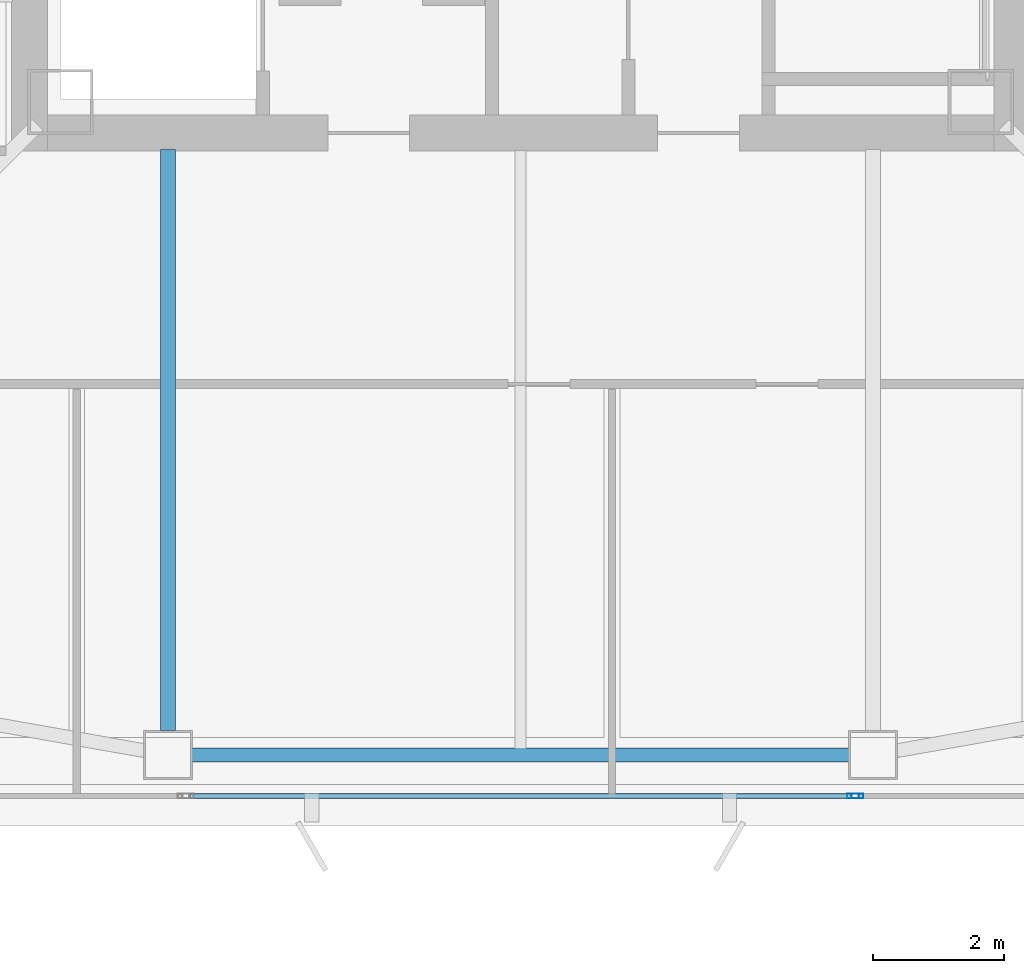
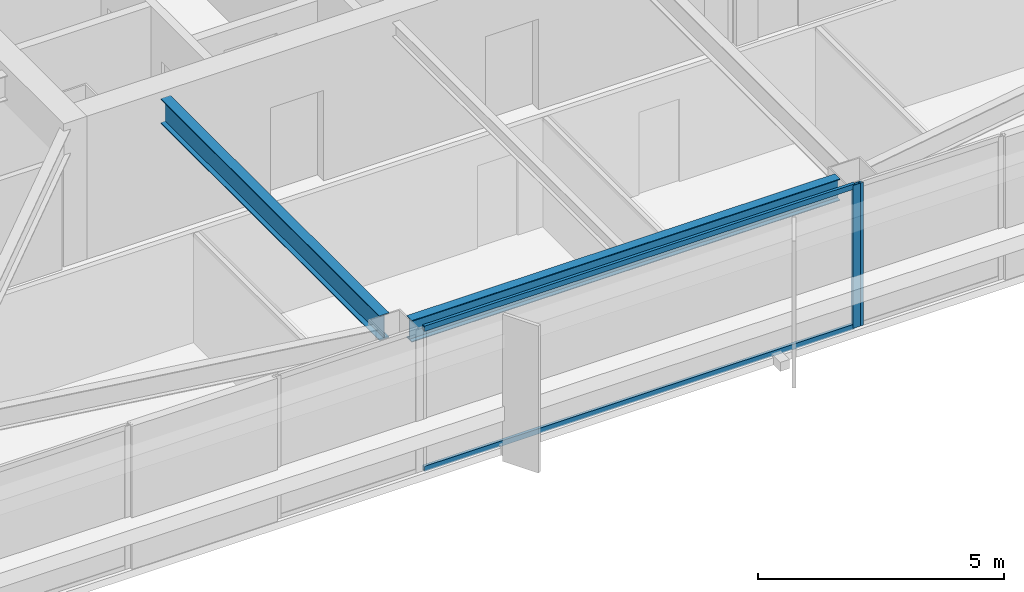
# One storey, part 5 of 46: 4 members, 2 beams, 2 elements without a shape of their own.
"""IFC4 building model written with IfcOpenShell, lengths in metres."""

from ifc_helpers import new_model, si_unit, direction, frame, origin, origin_2d, place, context, subcontext, project, spatial, hollow_rectangle, i_section, extrude, material, material_profile, profile_set, type_object, element, aggregate, save


model = new_model("IFC4")

# Units and contexts
model_context = context("Model", 3, precision=1e-05, world=origin(), true_north=direction((0.0, 1.0)))
body_context = subcontext(model_context, "Body", "Model", "MODEL_VIEW")
ifc_project = project(units=[si_unit("LENGTHUNIT", "METRE"), si_unit("AREAUNIT", "SQUARE_METRE"), si_unit("VOLUMEUNIT", "CUBIC_METRE"), si_unit("PLANEANGLEUNIT", "RADIAN"), si_unit("MASSUNIT", "GRAM", prefix="KILO")], contexts=[model_context])

# Site, building, storey
site_placement = place(None, origin())
site = spatial("IfcSite", under=ifc_project, at=site_placement, CompositionType="ELEMENT")
building_placement = place(site_placement, origin())
building = spatial("IfcBuilding", under=site, at=building_placement, Name="Tashvorn Skyway Center", CompositionType="ELEMENT")
storey_placement = place(building_placement, frame((0.0, 0.0, 167.64990234375)))
storey = spatial("IfcBuildingStorey", under=building, at=storey_placement, Name="L45", CompositionType="ELEMENT", Elevation=167.64990234375)

# Beams
ifc_material_1 = material(Name="Steel ASTM A992 Grade 50", Category="steel")
ifc_material_profile_1 = material_profile(ifc_material_1, i_section(OverallWidth=0.22998046875, OverallDepth=0.616943359375, WebThickness=0.01318359375, FlangeThickness=0.022216796875, at=origin_2d()), Name="W24X94")
ifc_profile_set_1 = profile_set([ifc_material_profile_1], Name="Steel ASTM A992 Grade 50")
beam_type_1 = type_object("IfcBeamType", Name="BM-BEAM-W24X94", PredefinedType="BEAM", material=ifc_profile_set_1)
beam_1_placement = place(storey_placement, frame((36.60009765625, 15.320068359375, 3.0615234375), z_axis=(0.0, 1.0, 0.0), x_axis=(-1.0, 0.0, 0.0)))
element("IfcBeam", 1, at=beam_1_placement, inside=storey, type_object=beam_type_1, Name="Tower 1 L45 Primary Floor Girder FC-S1", PredefinedType="BEAM", context=body_context, shape_type="SweptSolid", body=[
    extrude(i_section(OverallWidth=0.22998046875, OverallDepth=0.616943359375, WebThickness=0.01318359375, FlangeThickness=0.022216796875, at=origin_2d()), origin(), (0.0, 0.0, 1.0), 8.89990234375),
])
ifc_material_profile_2 = material_profile(ifc_material_1, i_section(OverallWidth=0.2109375, OverallDepth=0.5390625, WebThickness=0.01171875, FlangeThickness=0.018798828125, at=origin_2d()), Name="W21X73")
ifc_profile_set_2 = profile_set([ifc_material_profile_2], Name="Steel ASTM A992 Grade 50")
beam_type_2 = type_object("IfcBeamType", Name="BM-SPANDREL-W21X73", PredefinedType="SPANDREL", material=ifc_profile_set_2)
beam_2_placement = place(storey_placement, frame((36.969970703125, 14.949951171875, 3.1005859375), z_axis=(1.0, 0.0, 0.0), x_axis=(0.0, 1.0, 0.0)))
element("IfcBeam", 2, at=beam_2_placement, inside=storey, type_object=beam_type_2, Name="Tower 1 L45 Spandrel Beam 02", PredefinedType="SPANDREL", context=body_context, shape_type="SweptSolid", body=[
    extrude(i_section(OverallWidth=0.2109375, OverallDepth=0.5390625, WebThickness=0.01171875, FlangeThickness=0.018798828125, at=origin_2d()), origin(), (0.0, 0.0, 1.0), 10.06005859375),
])

# Curtain wall, member
ifc_material_2 = material(Name="Thermally broken bronze-anodized aluminium 6063-T6", Category="aluminium")
curtain_wall_type = type_object("IfcCurtainWallType", Name="CW-CW-Z4", PredefinedType="NOTDEFINED", material=ifc_material_2)
curtain_wall_1_placement = place(storey_placement, origin())
curtain_wall_1 = element("IfcCurtainWall", 3, at=curtain_wall_1_placement, inside=storey, type_object=curtain_wall_type, Name="Tower 1 L45 South Unitised Curtain Wall Glazing Group 2", PredefinedType="NOTDEFINED")
ifc_material_profile_3 = material_profile(ifc_material_2, hollow_rectangle(XDim=0.070068359375, YDim=0.179931640625, WallThickness=0.00390625, at=origin_2d()), Name="ALU-MULL-70x180")
ifc_profile_set_3 = profile_set([ifc_material_profile_3], Name="Thermally broken bronze-anodized aluminium 6063-T6")
member_type_1 = type_object("IfcMemberType", Name="CWM-CW-Z4", PredefinedType="MULLION", material=ifc_profile_set_3)
member_1_placement = place(storey_placement, frame((47.16162109375, 14.320068359375, 0.0), z_axis=(0.0, 0.0, 1.0), x_axis=(0.0, -1.0, 0.0)))
member_1 = element("IfcMember", 4, at=member_1_placement, type_object=member_type_1, Name="CW-Z4 mullion 2", PredefinedType="MULLION", context=body_context, shape_type="SweptSolid", body=[
    extrude(hollow_rectangle(XDim=0.070068359375, YDim=0.179931640625, WallThickness=0.00390625, at=origin_2d()), origin(), (0.0, 0.0, 1.0), 3.550048828125),
])
aggregate(curtain_wall_1, [member_1])

# Curtain wall, members
curtain_wall_2_placement = place(storey_placement, origin())
curtain_wall_2 = element("IfcCurtainWall", 5, at=curtain_wall_2_placement, inside=storey, type_object=curtain_wall_type, Name="Tower 1 L45 South Unitised Curtain Wall Glazing Group 3", PredefinedType="NOTDEFINED")
member_2_placement = place(storey_placement, frame((47.091796875, 14.320068359375, 0.0), z_axis=(0.0, 0.0, 1.0), x_axis=(0.0, -1.0, 0.0)))
member_2 = element("IfcMember", 6, at=member_2_placement, type_object=member_type_1, Name="CW-Z4 mullion 1", PredefinedType="MULLION", context=body_context, shape_type="SweptSolid", body=[
    extrude(hollow_rectangle(XDim=0.070068359375, YDim=0.179931640625, WallThickness=0.00390625, at=origin_2d()), origin(), (0.0, 0.0, 1.0), 3.550048828125),
])
ifc_material_profile_4 = material_profile(ifc_material_2, hollow_rectangle(XDim=0.070068359375, YDim=0.1298828125, WallThickness=0.00390625, at=origin_2d()), Name="ALU-TRAN-70x130")
ifc_profile_set_4 = profile_set([ifc_material_profile_4], Name="Thermally broken bronze-anodized aluminium 6063-T6")
member_type_2 = type_object("IfcMemberType", Name="CWT-CW-Z4", PredefinedType="USERDEFINED", material=ifc_profile_set_4)
member_3_placement = place(storey_placement, frame((47.056640625, 14.320068359375, 0.03515625), z_axis=(-1.0, 0.0, 0.0), x_axis=(0.0, -1.0, 0.0)))
member_3 = element("IfcMember", 7, at=member_3_placement, type_object=member_type_2, Name="CW-Z4 transom 1.1", ObjectType="TRANSOM", PredefinedType="USERDEFINED", context=body_context, shape_type="SweptSolid", body=[
    extrude(hollow_rectangle(XDim=0.070068359375, YDim=0.1298828125, WallThickness=0.00390625, at=origin_2d()), origin(), (0.0, 0.0, 1.0), 10.11328125),
])
member_4_placement = place(storey_placement, frame((47.056640625, 14.320068359375, 3.51513671875), z_axis=(-1.0, 0.0, 0.0), x_axis=(0.0, -1.0, 0.0)))
member_4 = element("IfcMember", 8, at=member_4_placement, type_object=member_type_2, Name="CW-Z4 transom 1.2", ObjectType="TRANSOM", PredefinedType="USERDEFINED", context=body_context, shape_type="SweptSolid", body=[
    extrude(hollow_rectangle(XDim=0.070068359375, YDim=0.1298828125, WallThickness=0.00390625, at=origin_2d()), origin(), (0.0, 0.0, 1.0), 10.11328125),
])
aggregate(curtain_wall_2, [member_2, member_3, member_4])

save(model, "model.ifc")
